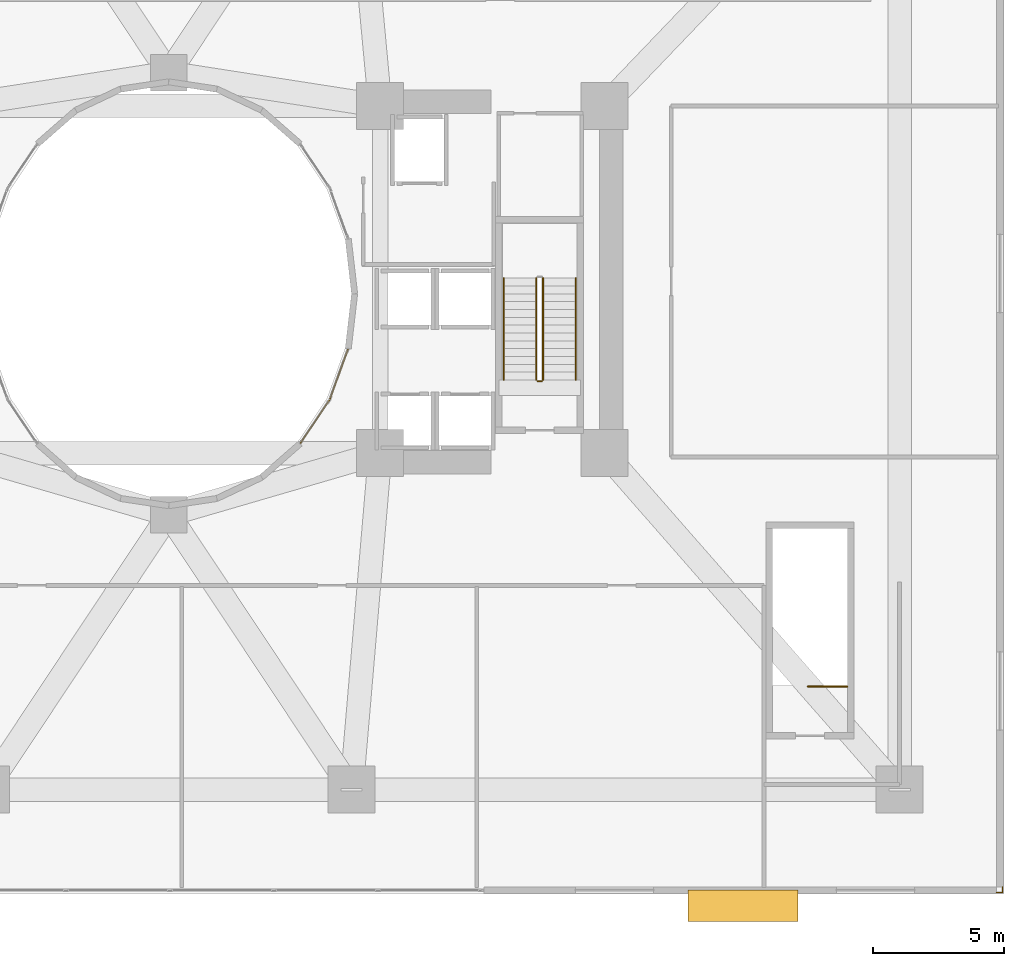
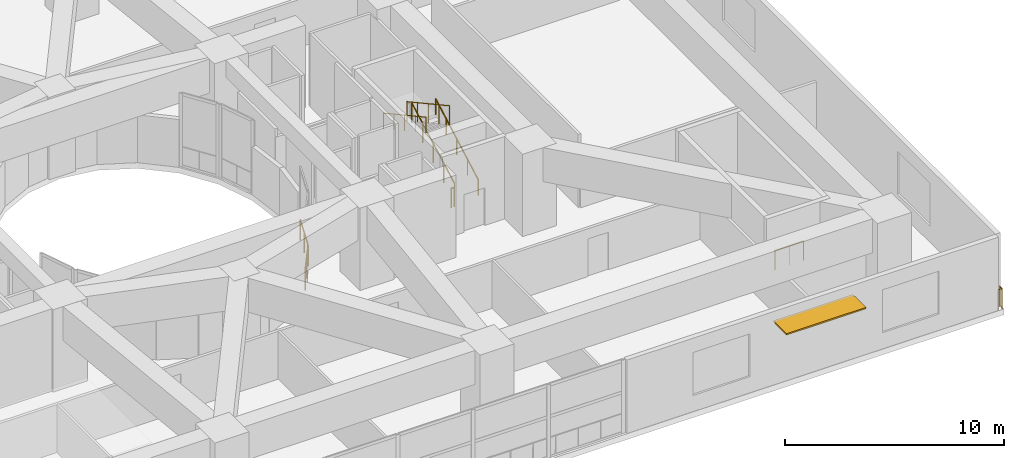
# One storey, part 24 of 27: 9 railings, 1 shading device.
"""IFC4 building model written with IfcOpenShell, lengths in metres."""

from ifc_helpers import new_model, si_unit, direction, frame, origin, origin_2d, place, context, subcontext, project, spatial, rectangle, circle, extrude, material, layer, layer_set, type_object, element, save


model = new_model("IFC4")

# Units and contexts
model_context = context("Model", 3, precision=1e-05, world=origin(), true_north=direction((0.0, 1.0)))
body_context = subcontext(model_context, "Body", "Model", "MODEL_VIEW")
ifc_project = project(units=[si_unit("LENGTHUNIT", "METRE"), si_unit("AREAUNIT", "SQUARE_METRE"), si_unit("VOLUMEUNIT", "CUBIC_METRE"), si_unit("PLANEANGLEUNIT", "RADIAN"), si_unit("MASSUNIT", "GRAM", prefix="KILO")], contexts=[model_context])

# Site, building, storey
site_placement = place(None, origin())
site = spatial("IfcSite", under=ifc_project, at=site_placement, CompositionType="ELEMENT")
building_placement = place(site_placement, origin())
building = spatial("IfcBuilding", under=site, at=building_placement, Name="Solvane Sanctuary Tower", CompositionType="ELEMENT")
storey_placement = place(building_placement, frame((0.0, 0.0, 23.0)))
storey = spatial("IfcBuildingStorey", under=building, at=storey_placement, Name="L06", CompositionType="ELEMENT", Elevation=23.0)

# Railings
ifc_material_1 = material(Name="Architectural Stainless Steel 316", Category="steel")
railing_type_1 = type_object("IfcRailingType", Name="Railing GR-BALC-1150", PredefinedType="BALUSTRADE", material=ifc_material_1)
railing_1_placement = place(storey_placement, frame((63.93994140625, 0.280029296875, 0.0)))
element("IfcRailing", 1, at=railing_1_placement, inside=storey, type_object=railing_type_1, Name="L06 Perimeter Slab Edge Guardrail 04", PredefinedType="BALUSTRADE", context=body_context, shape_type="SweptSolid", body=[
    extrude(circle(Radius=0.02392578125, at=origin_2d()), frame((0.0, 0.0, 1.1259765625), z_axis=(0.0, -1.0, 0.0), x_axis=(1.0, 0.0, 0.0)), (0.0, 0.0, 1.0), 0.219970703125),
    extrude(circle(Radius=0.02392578125, at=origin_2d()), frame((0.0, -0.219970703125, 1.1259765625), z_axis=(-1.0, 0.0, 0.0), x_axis=(0.0, -1.0, 0.0)), (0.0, 0.0, 1.0), 0.219970703125),
    extrude(circle(Radius=0.02099609375, at=origin_2d()), origin(), (0.0, 0.0, 1.0), 1.101806640625),
    extrude(circle(Radius=0.02099609375, at=origin_2d()), frame((0.0, -0.219970703125, 0.0)), (0.0, 0.0, 1.0), 1.101806640625),
    extrude(circle(Radius=0.02099609375, at=origin_2d()), frame((-0.219970703125, -0.219970703125, 0.0)), (0.0, 0.0, 1.0), 1.101806640625),
])
railing_2_placement = place(storey_placement, frame((46.340087890625, 19.699951171875, 0.164306640625)))
element("IfcRailing", 2, at=railing_2_placement, inside=storey, type_object=railing_type_1, Name="L06 ST-2 stair guard 1", PredefinedType="BALUSTRADE", context=body_context, shape_type="SweptSolid", body=[
    extrude(circle(Radius=0.02392578125, at=origin_2d()), frame((0.0, 0.0, 1.076171875), z_axis=(0.0, 0.877101224295, 0.480305571839), x_axis=(-1.0, 0.0, 0.0)), (0.0, 0.0, 1.0), 4.446533203125),
    extrude(circle(Radius=0.02099609375, at=origin_2d()), origin(), (0.0, 0.0, 1.0), 1.052001953125),
    extrude(circle(Radius=0.02099609375, at=origin_2d()), frame((0.0, 0.97509765625, 0.533935546875)), (0.0, 0.0, 1.0), 1.052001953125),
    extrude(circle(Radius=0.02099609375, at=origin_2d()), frame((0.0, 1.9501953125, 1.06787109375)), (0.0, 0.0, 1.0), 1.052001953125),
    extrude(circle(Radius=0.02099609375, at=origin_2d()), frame((0.0, 2.925048828125, 1.601806640625)), (0.0, 0.0, 1.0), 1.052001953125),
    extrude(circle(Radius=0.02099609375, at=origin_2d()), frame((0.0, 3.900146484375, 2.1357421875)), (0.0, 0.0, 1.0), 1.052001953125),
])
railing_3_placement = place(storey_placement, frame((46.080078125, 23.60009765625, 2.46435546875)))
element("IfcRailing", 3, at=railing_3_placement, inside=storey, type_object=railing_type_1, Name="L06 ST-2 stair guard 3", PredefinedType="BALUSTRADE", context=body_context, shape_type="SweptSolid", body=[
    extrude(circle(Radius=0.02392578125, at=origin_2d()), frame((0.0, 0.0, 1.076171875), z_axis=(0.0, -0.877101224295, 0.480305571839), x_axis=(1.0, 0.0, 0.0)), (0.0, 0.0, 1.0), 4.446533203125),
    extrude(circle(Radius=0.02099609375, at=origin_2d()), origin(), (0.0, 0.0, 1.0), 1.052001953125),
    extrude(circle(Radius=0.02099609375, at=origin_2d()), frame((0.0, -0.97509765625, 0.533935546875)), (0.0, 0.0, 1.0), 1.052001953125),
    extrude(circle(Radius=0.02099609375, at=origin_2d()), frame((0.0, -1.9501953125, 1.06787109375)), (0.0, 0.0, 1.0), 1.052001953125),
    extrude(circle(Radius=0.02099609375, at=origin_2d()), frame((0.0, -2.925048828125, 1.601806640625)), (0.0, 0.0, 1.0), 1.052001953125),
    extrude(circle(Radius=0.02099609375, at=origin_2d()), frame((0.0, -3.900146484375, 2.1357421875)), (0.0, 0.0, 1.0), 1.052001953125),
])
railing_4_placement = place(storey_placement, frame((46.2900390625, 19.64990234375, 0.0)))
element("IfcRailing", 4, at=railing_4_placement, inside=storey, type_object=railing_type_1, Name="L06 ST-2 stair guard 4", PredefinedType="BALUSTRADE", context=body_context, shape_type="SweptSolid", body=[
    extrude(circle(Radius=0.02392578125, at=origin_2d()), frame((0.0, 0.0, 1.076171875), z_axis=(-1.0, 0.0, 0.0), x_axis=(0.0, -1.0, 0.0)), (0.0, 0.0, 1.0), 0.16015625),
    extrude(circle(Radius=0.02099609375, at=origin_2d()), origin(), (0.0, 0.0, 1.0), 1.052001953125),
    extrude(circle(Radius=0.02099609375, at=origin_2d()), frame((-0.16015625, 0.0, 0.0)), (0.0, 0.0, 1.0), 1.052001953125),
])
railing_5_placement = place(storey_placement, frame((58.0, 7.949951171875, 0.0)))
element("IfcRailing", 5, at=railing_5_placement, inside=storey, type_object=railing_type_1, Name="L06 ST-5 top well guard 1", PredefinedType="BALUSTRADE", context=body_context, shape_type="SweptSolid", body=[
    extrude(circle(Radius=0.02392578125, at=origin_2d()), frame((0.0, 0.0, 1.076171875), z_axis=(-1.0, 0.0, 0.0), x_axis=(0.0, -1.0, 0.0)), (0.0, 0.0, 1.0), 1.510009765625),
    extrude(circle(Radius=0.02099609375, at=origin_2d()), origin(), (0.0, 0.0, 1.0), 1.052001953125),
    extrude(circle(Radius=0.02099609375, at=origin_2d()), frame((-0.7548828125, 0.0, 0.0)), (0.0, 0.0, 1.0), 1.052001953125),
    extrude(circle(Radius=0.02099609375, at=origin_2d()), frame((-1.510009765625, 0.0, 0.0)), (0.0, 0.0, 1.0), 1.052001953125),
])
railing_type_2 = type_object("IfcRailingType", Name="Railing GR-WELL-1150", PredefinedType="GUARDRAIL", material=ifc_material_1)
railing_6_placement = place(storey_placement, frame((37.056884765625, 17.29150390625, 0.0)))
element("IfcRailing", 6, at=railing_6_placement, inside=storey, type_object=railing_type_2, Name="L06 Light-Well Sill Guard 21", PredefinedType="GUARDRAIL", context=body_context, shape_type="SweptSolid", body=[
    extrude(circle(Radius=0.02392578125, at=origin_2d()), frame((0.0, 0.0, 1.1259765625), z_axis=(0.558283423748, 0.829650299083, 0.0), x_axis=(-0.829650299083, 0.558283423748, 0.0)), (0.0, 0.0, 1.0), 1.94677734375),
    extrude(circle(Radius=0.02099609375, at=origin_2d()), origin(), (0.0, 0.0, 1.0), 1.101806640625),
    extrude(circle(Radius=0.02099609375, at=origin_2d()), frame((0.54345703125, 0.8076171875, 0.0)), (0.0, 0.0, 1.0), 1.101806640625),
    extrude(circle(Radius=0.02099609375, at=origin_2d()), frame((1.0869140625, 1.615234375, 0.0)), (0.0, 0.0, 1.0), 1.101806640625),
])
railing_7_placement = place(storey_placement, frame((38.1796875, 18.9775390625, 0.0)))
element("IfcRailing", 7, at=railing_7_placement, inside=storey, type_object=railing_type_2, Name="L06 Light-Well Sill Guard 22", PredefinedType="GUARDRAIL", context=body_context, shape_type="SweptSolid", body=[
    extrude(circle(Radius=0.02392578125, at=origin_2d()), frame((0.0, 0.0, 1.1259765625), z_axis=(0.341410413021, 0.9399143205, 0.0), x_axis=(-0.9399143205, 0.341410413021, 0.0)), (0.0, 0.0, 1.0), 2.003662109375),
    extrude(circle(Radius=0.02099609375, at=origin_2d()), origin(), (0.0, 0.0, 1.0), 1.101806640625),
    extrude(circle(Radius=0.02099609375, at=origin_2d()), frame((0.342041015625, 0.941650390625, 0.0)), (0.0, 0.0, 1.0), 1.101806640625),
    extrude(circle(Radius=0.02099609375, at=origin_2d()), frame((0.68408203125, 1.88330078125, 0.0)), (0.0, 0.0, 1.0), 1.101806640625),
])
railing_type_3 = type_object("IfcRailingType", Name="Railing HR-STAIR-920", PredefinedType="HANDRAIL", material=ifc_material_1)
railing_8_placement = place(storey_placement, frame((47.590087890625, 19.699951171875, 0.164306640625)))
element("IfcRailing", 8, at=railing_8_placement, inside=storey, type_object=railing_type_3, Name="L06 ST-2 stair handrail 1", PredefinedType="HANDRAIL", context=body_context, shape_type="SweptSolid", body=[
    extrude(circle(Radius=0.02392578125, at=origin_2d()), frame((0.0, 0.0, 0.8759765625), z_axis=(0.0, 0.877101224295, 0.480305571839), x_axis=(-1.0, 0.0, 0.0)), (0.0, 0.0, 1.0), 4.446533203125),
    extrude(circle(Radius=0.02099609375, at=origin_2d()), origin(), (0.0, 0.0, 1.0), 0.851806640625),
    extrude(circle(Radius=0.02099609375, at=origin_2d()), frame((0.0, 0.97509765625, 0.533935546875)), (0.0, 0.0, 1.0), 0.851806640625),
    extrude(circle(Radius=0.02099609375, at=origin_2d()), frame((0.0, 1.9501953125, 1.06787109375)), (0.0, 0.0, 1.0), 0.851806640625),
    extrude(circle(Radius=0.02099609375, at=origin_2d()), frame((0.0, 2.925048828125, 1.601806640625)), (0.0, 0.0, 1.0), 0.851806640625),
    extrude(circle(Radius=0.02099609375, at=origin_2d()), frame((0.0, 3.900146484375, 2.1357421875)), (0.0, 0.0, 1.0), 0.851806640625),
])
railing_9_placement = place(storey_placement, frame((44.830078125, 23.60009765625, 2.46435546875)))
element("IfcRailing", 9, at=railing_9_placement, inside=storey, type_object=railing_type_3, Name="L06 ST-2 stair handrail 2", PredefinedType="HANDRAIL", context=body_context, shape_type="SweptSolid", body=[
    extrude(circle(Radius=0.02392578125, at=origin_2d()), frame((0.0, 0.0, 0.8759765625), z_axis=(0.0, -0.877101224295, 0.480305571839), x_axis=(1.0, 0.0, 0.0)), (0.0, 0.0, 1.0), 4.446533203125),
    extrude(circle(Radius=0.02099609375, at=origin_2d()), origin(), (0.0, 0.0, 1.0), 0.851806640625),
    extrude(circle(Radius=0.02099609375, at=origin_2d()), frame((0.0, -0.97509765625, 0.533935546875)), (0.0, 0.0, 1.0), 0.851806640625),
    extrude(circle(Radius=0.02099609375, at=origin_2d()), frame((0.0, -1.9501953125, 1.06787109375)), (0.0, 0.0, 1.0), 0.851806640625),
    extrude(circle(Radius=0.02099609375, at=origin_2d()), frame((0.0, -2.925048828125, 1.601806640625)), (0.0, 0.0, 1.0), 0.851806640625),
    extrude(circle(Radius=0.02099609375, at=origin_2d()), frame((0.0, -3.900146484375, 2.1357421875)), (0.0, 0.0, 1.0), 0.851806640625),
])

# Shading device
ifc_material_2 = material(Name="Anodised Aluminium 6063-T6", Category="aluminium")
ifc_layer = layer(ifc_material_2, 0.080078125, Name="Anodised Aluminium 6063-T6")
ifc_layer_set = layer_set([ifc_layer], Name="Anodised Aluminium 6063-T6")
shading_device_type = type_object("IfcShadingDeviceType", Name="Shading SHD-SUNSHADE", PredefinedType="AWNING", material=ifc_layer_set)
shading_device_placement = place(storey_placement, frame((54.0, -0.449951171875, 3.409912109375), z_axis=(0.0, 0.0, 1.0), x_axis=(1.0, 0.0, 0.0)))
element("IfcShadingDevice", 10, at=shading_device_placement, inside=storey, type_object=shading_device_type, Name="L06 Tropical Sunshade Canopy S2", PredefinedType="AWNING", context=body_context, shape_type="SweptSolid", body=[
    extrude(rectangle(XDim=4.199951171875, YDim=1.199951171875, at=origin_2d()), origin(), (0.0, 0.0, 1.0), 0.080078125),
])

save(model, "model.ifc")
